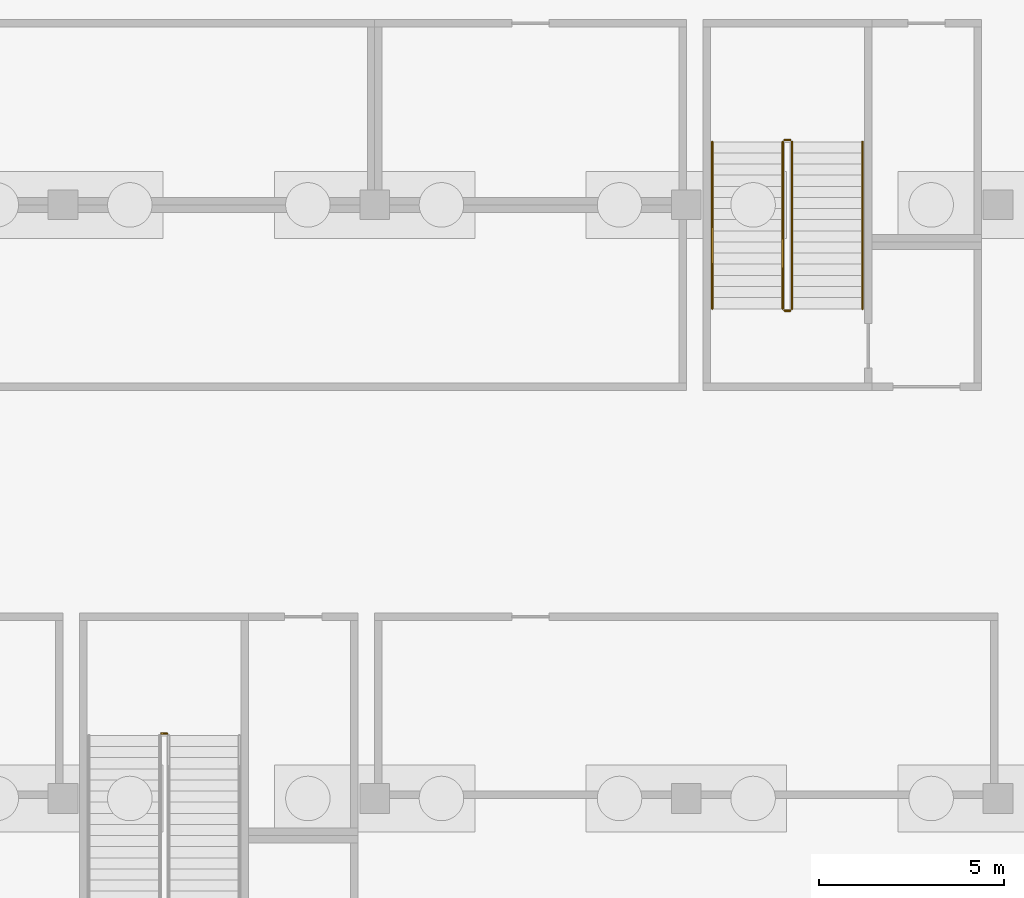
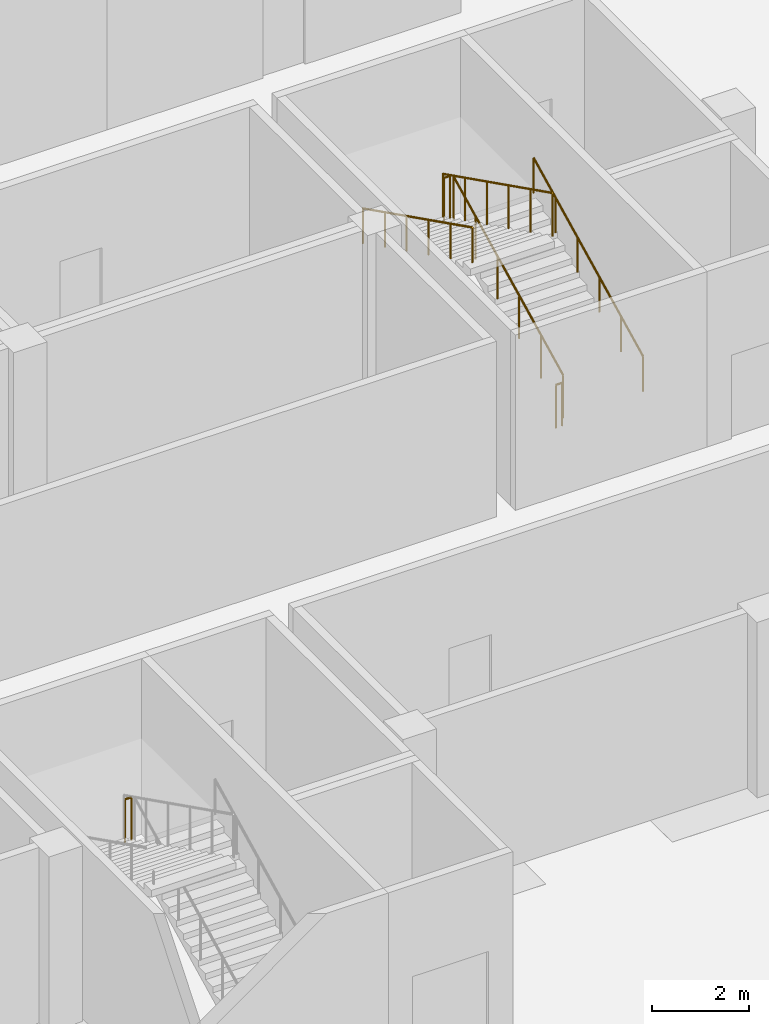
# One storey, part 45 of 46: 7 railings.
"""IFC4 building model written with IfcOpenShell, lengths in metres."""

from ifc_helpers import new_model, si_unit, direction, frame, origin, origin_2d, place, context, subcontext, project, spatial, circle, extrude, material, type_object, element, save


model = new_model("IFC4")

# Units and contexts
model_context = context("Model", 3, precision=1e-05, world=origin(), true_north=direction((0.0, 1.0)))
body_context = subcontext(model_context, "Body", "Model", "MODEL_VIEW")
ifc_project = project(units=[si_unit("LENGTHUNIT", "METRE"), si_unit("AREAUNIT", "SQUARE_METRE"), si_unit("VOLUMEUNIT", "CUBIC_METRE"), si_unit("PLANEANGLEUNIT", "RADIAN"), si_unit("MASSUNIT", "GRAM", prefix="KILO")], contexts=[model_context])

# Site, building, storey
site_placement = place(None, origin())
site = spatial("IfcSite", under=ifc_project, at=site_placement, CompositionType="ELEMENT")
building_placement = place(site_placement, origin())
building = spatial("IfcBuilding", under=site, at=building_placement, Name="Tamra Quay Hotel Tower", CompositionType="ELEMENT")
storey_placement = place(building_placement, frame((0.0, 0.0, -12.0)))
storey = spatial("IfcBuildingStorey", under=building, at=storey_placement, Name="B3", CompositionType="ELEMENT", Elevation=-12.0)

# Railings
ifc_material_1 = material(Name="Basement stair guard 1100")
railing_type_1 = type_object("IfcRailingType", Name="Basement stair guard 1100", PredefinedType="GUARDRAIL", material=ifc_material_1)
railing_1_placement = place(storey_placement, frame((6.10009765625, 49.75, 2.39990234375)))
element("IfcRailing", 1, at=railing_1_placement, inside=storey, type_object=railing_type_1, Name="BSG", PredefinedType="GUARDRAIL", context=body_context, shape_type="SweptSolid", body=[
    extrude(circle(Radius=0.02392578125, at=origin_2d()), frame((0.0, 0.0, 1.076171875), z_axis=(-1.0, 0.0, 0.0), x_axis=(0.0, -1.0, 0.0)), (0.0, 0.0, 1.0), 0.150146484375),
    extrude(circle(Radius=0.02099609375, at=origin_2d()), origin(), (0.0, 0.0, 1.0), 1.052001953125),
    extrude(circle(Radius=0.02099609375, at=origin_2d()), frame((-0.150146484375, 0.0, 0.0)), (0.0, 0.0, 1.0), 1.052001953125),
])
railing_2_placement = place(storey_placement, frame((22.949951171875, 61.199951171875, 0.14990234375)))
element("IfcRailing", 2, at=railing_2_placement, inside=storey, type_object=railing_type_1, Name="BSG", PredefinedType="GUARDRAIL", context=body_context, shape_type="SweptSolid", body=[
    extrude(circle(Radius=0.02392578125, at=origin_2d()), frame((0.0, 0.0, 1.076171875), z_axis=(0.0, 0.894427191, 0.4472135955), x_axis=(-1.0, 0.0, 0.0)), (0.0, 0.0, 1.0), 5.03125),
    extrude(circle(Radius=0.02099609375, at=origin_2d()), origin(), (0.0, 0.0, 1.0), 1.052001953125),
    extrude(circle(Radius=0.02099609375, at=origin_2d()), frame((0.0, 0.89990234375, 0.449951171875)), (0.0, 0.0, 1.0), 1.052001953125),
    extrude(circle(Radius=0.02099609375, at=origin_2d()), frame((0.0, 1.800048828125, 0.89990234375)), (0.0, 0.0, 1.0), 1.052001953125),
    extrude(circle(Radius=0.02099609375, at=origin_2d()), frame((0.0, 2.699951171875, 1.35009765625)), (0.0, 0.0, 1.0), 1.052001953125),
    extrude(circle(Radius=0.02099609375, at=origin_2d()), frame((0.0, 3.60009765625, 1.800048828125)), (0.0, 0.0, 1.0), 1.052001953125),
    extrude(circle(Radius=0.02099609375, at=origin_2d()), frame((0.0, 4.5, 2.25)), (0.0, 0.0, 1.0), 1.052001953125),
])
railing_3_placement = place(storey_placement, frame((22.89990234375, 65.75, 2.39990234375)))
element("IfcRailing", 3, at=railing_3_placement, inside=storey, type_object=railing_type_1, Name="BSG", PredefinedType="GUARDRAIL", context=body_context, shape_type="SweptSolid", body=[
    extrude(circle(Radius=0.02392578125, at=origin_2d()), frame((0.0, 0.0, 1.076171875), z_axis=(-1.0, 0.0, 0.0), x_axis=(0.0, -1.0, 0.0)), (0.0, 0.0, 1.0), 0.14990234375),
    extrude(circle(Radius=0.02099609375, at=origin_2d()), origin(), (0.0, 0.0, 1.0), 1.052001953125),
    extrude(circle(Radius=0.02099609375, at=origin_2d()), frame((-0.14990234375, 0.0, 0.0)), (0.0, 0.0, 1.0), 1.052001953125),
])
railing_4_placement = place(storey_placement, frame((22.699951171875, 65.699951171875, 2.550048828125)))
element("IfcRailing", 4, at=railing_4_placement, inside=storey, type_object=railing_type_1, Name="BSG", PredefinedType="GUARDRAIL", context=body_context, shape_type="SweptSolid", body=[
    extrude(circle(Radius=0.02392578125, at=origin_2d()), frame((0.0, 0.0, 1.076171875), z_axis=(0.0, -0.894427191, 0.4472135955), x_axis=(1.0, 0.0, 0.0)), (0.0, 0.0, 1.0), 5.03125),
    extrude(circle(Radius=0.02099609375, at=origin_2d()), origin(), (0.0, 0.0, 1.0), 1.052001953125),
    extrude(circle(Radius=0.02099609375, at=origin_2d()), frame((0.0, -0.89990234375, 0.449951171875)), (0.0, 0.0, 1.0), 1.052001953125),
    extrude(circle(Radius=0.02099609375, at=origin_2d()), frame((0.0, -1.800048828125, 0.89990234375)), (0.0, 0.0, 1.0), 1.052001953125),
    extrude(circle(Radius=0.02099609375, at=origin_2d()), frame((0.0, -2.699951171875, 1.35009765625)), (0.0, 0.0, 1.0), 1.052001953125),
    extrude(circle(Radius=0.02099609375, at=origin_2d()), frame((0.0, -3.60009765625, 1.800048828125)), (0.0, 0.0, 1.0), 1.052001953125),
    extrude(circle(Radius=0.02099609375, at=origin_2d()), frame((0.0, -4.5, 2.25)), (0.0, 0.0, 1.0), 1.052001953125),
])
railing_5_placement = place(storey_placement, frame((22.89990234375, 61.14990234375, 0.0)))
element("IfcRailing", 5, at=railing_5_placement, inside=storey, type_object=railing_type_1, Name="BSG", PredefinedType="GUARDRAIL", context=body_context, shape_type="SweptSolid", body=[
    extrude(circle(Radius=0.02392578125, at=origin_2d()), frame((0.0, 0.0, 1.076171875), z_axis=(-1.0, 0.0, 0.0), x_axis=(0.0, -1.0, 0.0)), (0.0, 0.0, 1.0), 0.14990234375),
    extrude(circle(Radius=0.02099609375, at=origin_2d()), origin(), (0.0, 0.0, 1.0), 1.052001953125),
    extrude(circle(Radius=0.02099609375, at=origin_2d()), frame((-0.14990234375, 0.0, 0.0)), (0.0, 0.0, 1.0), 1.052001953125),
])
ifc_material_2 = material(Name="Basement stair handrail 900")
railing_type_2 = type_object("IfcRailingType", Name="Basement stair handrail 900", PredefinedType="HANDRAIL", material=ifc_material_2)
railing_6_placement = place(storey_placement, frame((24.85009765625, 61.199951171875, 0.14990234375)))
element("IfcRailing", 6, at=railing_6_placement, inside=storey, type_object=railing_type_2, Name="BSH", PredefinedType="HANDRAIL", context=body_context, shape_type="SweptSolid", body=[
    extrude(circle(Radius=0.02392578125, at=origin_2d()), frame((0.0, 0.0, 0.8759765625), z_axis=(0.0, 0.894427191, 0.4472135955), x_axis=(-1.0, 0.0, 0.0)), (0.0, 0.0, 1.0), 5.03125),
    extrude(circle(Radius=0.02099609375, at=origin_2d()), origin(), (0.0, 0.0, 1.0), 0.851806640625),
    extrude(circle(Radius=0.02099609375, at=origin_2d()), frame((0.0, 0.89990234375, 0.449951171875)), (0.0, 0.0, 1.0), 0.851806640625),
    extrude(circle(Radius=0.02099609375, at=origin_2d()), frame((0.0, 1.800048828125, 0.89990234375)), (0.0, 0.0, 1.0), 0.851806640625),
    extrude(circle(Radius=0.02099609375, at=origin_2d()), frame((0.0, 2.699951171875, 1.35009765625)), (0.0, 0.0, 1.0), 0.851806640625),
    extrude(circle(Radius=0.02099609375, at=origin_2d()), frame((0.0, 3.60009765625, 1.800048828125)), (0.0, 0.0, 1.0), 0.851806640625),
    extrude(circle(Radius=0.02099609375, at=origin_2d()), frame((0.0, 4.5, 2.25)), (0.0, 0.0, 1.0), 0.851806640625),
])
railing_7_placement = place(storey_placement, frame((20.800048828125, 65.699951171875, 2.550048828125)))
element("IfcRailing", 7, at=railing_7_placement, inside=storey, type_object=railing_type_2, Name="BSH", PredefinedType="HANDRAIL", context=body_context, shape_type="SweptSolid", body=[
    extrude(circle(Radius=0.02392578125, at=origin_2d()), frame((0.0, 0.0, 0.8759765625), z_axis=(0.0, -0.894427191, 0.4472135955), x_axis=(1.0, 0.0, 0.0)), (0.0, 0.0, 1.0), 5.03125),
    extrude(circle(Radius=0.02099609375, at=origin_2d()), origin(), (0.0, 0.0, 1.0), 0.851806640625),
    extrude(circle(Radius=0.02099609375, at=origin_2d()), frame((0.0, -0.89990234375, 0.449951171875)), (0.0, 0.0, 1.0), 0.851806640625),
    extrude(circle(Radius=0.02099609375, at=origin_2d()), frame((0.0, -1.800048828125, 0.89990234375)), (0.0, 0.0, 1.0), 0.851806640625),
    extrude(circle(Radius=0.02099609375, at=origin_2d()), frame((0.0, -2.699951171875, 1.35009765625)), (0.0, 0.0, 1.0), 0.851806640625),
    extrude(circle(Radius=0.02099609375, at=origin_2d()), frame((0.0, -3.60009765625, 1.800048828125)), (0.0, 0.0, 1.0), 0.851806640625),
    extrude(circle(Radius=0.02099609375, at=origin_2d()), frame((0.0, -4.5, 2.25)), (0.0, 0.0, 1.0), 0.851806640625),
])

save(model, "model.ifc")
